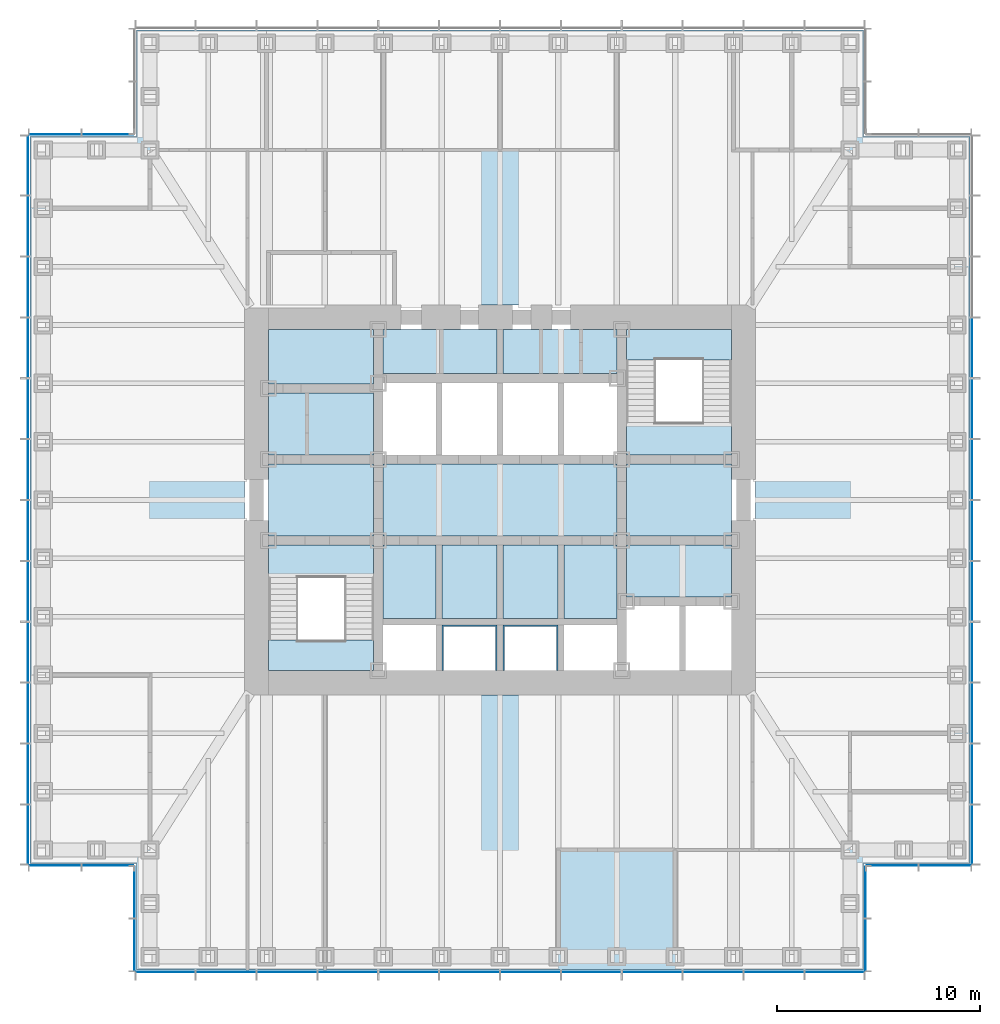
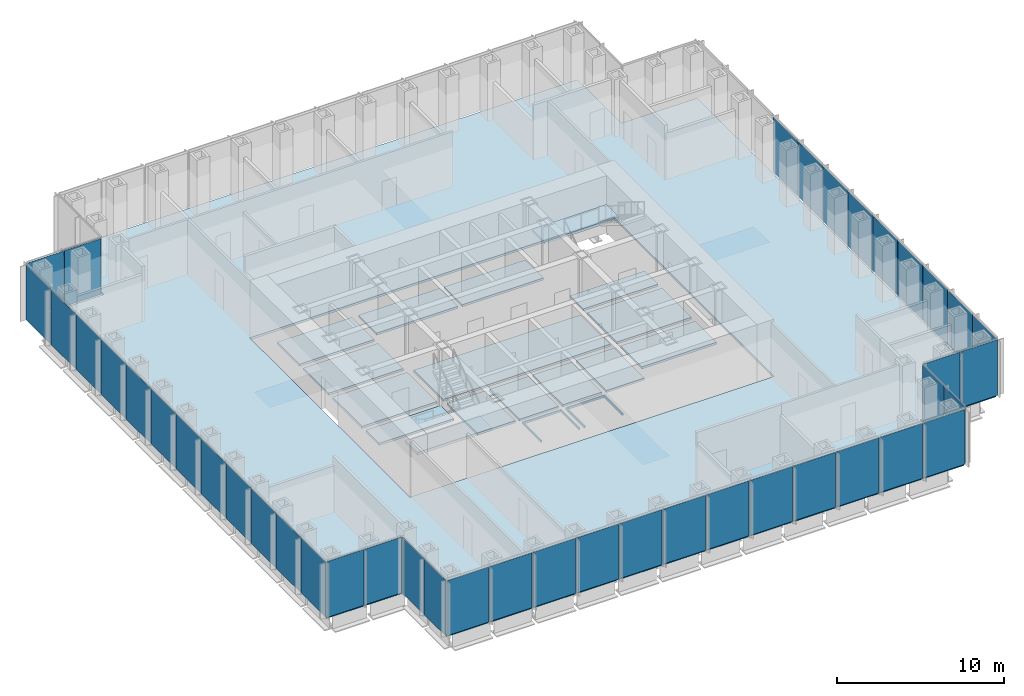
# One storey, part 7 of 17: 43 plates, 19 slabs, 10 elements without a shape of their own.
"""IFC4 building model written with IfcOpenShell, lengths in metres."""

from ifc_helpers import new_model, si_unit, direction, frame, origin, origin_2d, place, context, subcontext, project, spatial, polyline, rectangle, outline, extrude, material, layer, layer_set, type_object, element, aggregate, save


model = new_model("IFC4")

# Units and contexts
model_context = context("Model", 3, precision=1e-05, world=origin(), true_north=direction((0.0, 1.0)))
body_context = subcontext(model_context, "Body", "Model", "MODEL_VIEW")
ifc_project = project(units=[si_unit("LENGTHUNIT", "METRE"), si_unit("AREAUNIT", "SQUARE_METRE"), si_unit("VOLUMEUNIT", "CUBIC_METRE"), si_unit("PLANEANGLEUNIT", "RADIAN"), si_unit("MASSUNIT", "GRAM", prefix="KILO")], contexts=[model_context])

# Site, building, storey
site_placement = place(None, origin())
site = spatial("IfcSite", under=ifc_project, at=site_placement, CompositionType="ELEMENT")
building_placement = place(site_placement, origin())
building = spatial("IfcBuilding", under=site, at=building_placement, Name="Daluyong Arena Tower", CompositionType="ELEMENT")
storey_placement = place(building_placement, frame((0.0, 0.0, 124.89990234375)))
storey = spatial("IfcBuildingStorey", under=building, at=storey_placement, Name="L27", CompositionType="ELEMENT", Elevation=124.89990234375)

# Curtain wall, plates
ifc_material_1 = material(Name="Bronze anodised aluminium and glass", Category="aluminium")
curtain_wall_type_1 = type_object("IfcCurtainWallType", Name="Curtain wall CW2", PredefinedType="USERDEFINED", material=ifc_material_1)
curtain_wall_1_placement = place(storey_placement, origin())
curtain_wall_1 = element("IfcCurtainWall", 1, at=curtain_wall_1_placement, inside=storey, type_object=curtain_wall_type_1, Name="curtain wall L27 S", ObjectType="UNITISED CURTAIN WALL", PredefinedType="USERDEFINED")
ifc_material_2 = material(Name="Tinted double glazed unit", Category="glass")
ifc_layer_1 = layer(ifc_material_2, 0.031982421875)
ifc_layer_set_1 = layer_set([ifc_layer_1], Name="Tinted double glazed unit")
plate_type_1 = type_object("IfcPlateType", Name="CW2 panel 32", PredefinedType="CURTAIN_PANEL", material=ifc_layer_set_1)
plate_1_placement = place(storey_placement, frame((39.52001953125, 56.75, 0.0), z_axis=(0.0, 0.0, 1.0), x_axis=(1.0, 0.0, 0.0)))
plate_1 = element("IfcPlate", 2, at=plate_1_placement, type_object=plate_type_1, Name="curtain wall L27 S panel 1", PredefinedType="CURTAIN_PANEL", context=body_context, shape_type="SweptSolid", body=[
    extrude(rectangle(XDim=2.8798828125, YDim=0.031982421875, at=origin_2d()), origin(), (0.0, 0.0, 1.0), 4.02001953125),
])
plate_2_placement = place(storey_placement, frame((42.5, 56.75, 0.0), z_axis=(0.0, 0.0, 1.0), x_axis=(1.0, 0.0, 0.0)))
plate_2 = element("IfcPlate", 3, at=plate_2_placement, type_object=plate_type_1, Name="curtain wall L27 S panel 2", PredefinedType="CURTAIN_PANEL", context=body_context, shape_type="SweptSolid", body=[
    extrude(rectangle(XDim=2.919921875, YDim=0.031982421875, at=origin_2d()), origin(), (0.0, 0.0, 1.0), 4.02001953125),
])
plate_3_placement = place(storey_placement, frame((45.5, 56.75, 0.0), z_axis=(0.0, 0.0, 1.0), x_axis=(1.0, 0.0, 0.0)))
plate_3 = element("IfcPlate", 4, at=plate_3_placement, type_object=plate_type_1, Name="curtain wall L27 S panel 3", PredefinedType="CURTAIN_PANEL", context=body_context, shape_type="SweptSolid", body=[
    extrude(rectangle(XDim=2.919921875, YDim=0.031982421875, at=origin_2d()), origin(), (0.0, 0.0, 1.0), 4.02001953125),
])
plate_4_placement = place(storey_placement, frame((48.5, 56.75, 0.0), z_axis=(0.0, 0.0, 1.0), x_axis=(1.0, 0.0, 0.0)))
plate_4 = element("IfcPlate", 5, at=plate_4_placement, type_object=plate_type_1, Name="curtain wall L27 S panel 4", PredefinedType="CURTAIN_PANEL", context=body_context, shape_type="SweptSolid", body=[
    extrude(rectangle(XDim=2.919921875, YDim=0.031982421875, at=origin_2d()), origin(), (0.0, 0.0, 1.0), 4.02001953125),
])
plate_5_placement = place(storey_placement, frame((51.5, 56.75, 0.0), z_axis=(0.0, 0.0, 1.0), x_axis=(1.0, 0.0, 0.0)))
plate_5 = element("IfcPlate", 6, at=plate_5_placement, type_object=plate_type_1, Name="curtain wall L27 S panel 5", PredefinedType="CURTAIN_PANEL", context=body_context, shape_type="SweptSolid", body=[
    extrude(rectangle(XDim=2.919921875, YDim=0.031982421875, at=origin_2d()), origin(), (0.0, 0.0, 1.0), 4.02001953125),
])
plate_6_placement = place(storey_placement, frame((54.5, 56.75, 0.0), z_axis=(0.0, 0.0, 1.0), x_axis=(1.0, 0.0, 0.0)))
plate_6 = element("IfcPlate", 7, at=plate_6_placement, type_object=plate_type_1, Name="curtain wall L27 S panel 6", PredefinedType="CURTAIN_PANEL", context=body_context, shape_type="SweptSolid", body=[
    extrude(rectangle(XDim=2.919921875, YDim=0.031982421875, at=origin_2d()), origin(), (0.0, 0.0, 1.0), 4.02001953125),
])
plate_7_placement = place(storey_placement, frame((57.5, 56.75, 0.0), z_axis=(0.0, 0.0, 1.0), x_axis=(1.0, 0.0, 0.0)))
plate_7 = element("IfcPlate", 8, at=plate_7_placement, type_object=plate_type_1, Name="curtain wall L27 S panel 7", PredefinedType="CURTAIN_PANEL", context=body_context, shape_type="SweptSolid", body=[
    extrude(rectangle(XDim=2.919921875, YDim=0.031982421875, at=origin_2d()), origin(), (0.0, 0.0, 1.0), 4.02001953125),
])
plate_8_placement = place(storey_placement, frame((60.5, 56.75, 0.0), z_axis=(0.0, 0.0, 1.0), x_axis=(1.0, 0.0, 0.0)))
plate_8 = element("IfcPlate", 9, at=plate_8_placement, type_object=plate_type_1, Name="curtain wall L27 S panel 8", PredefinedType="CURTAIN_PANEL", context=body_context, shape_type="SweptSolid", body=[
    extrude(rectangle(XDim=2.919921875, YDim=0.031982421875, at=origin_2d()), origin(), (0.0, 0.0, 1.0), 4.02001953125),
])
plate_9_placement = place(storey_placement, frame((63.5, 56.75, 0.0), z_axis=(0.0, 0.0, 1.0), x_axis=(1.0, 0.0, 0.0)))
plate_9 = element("IfcPlate", 10, at=plate_9_placement, type_object=plate_type_1, Name="curtain wall L27 S panel 9", PredefinedType="CURTAIN_PANEL", context=body_context, shape_type="SweptSolid", body=[
    extrude(rectangle(XDim=2.919921875, YDim=0.031982421875, at=origin_2d()), origin(), (0.0, 0.0, 1.0), 4.02001953125),
])
plate_10_placement = place(storey_placement, frame((66.5, 56.75, 0.0), z_axis=(0.0, 0.0, 1.0), x_axis=(1.0, 0.0, 0.0)))
plate_10 = element("IfcPlate", 11, at=plate_10_placement, type_object=plate_type_1, Name="curtain wall L27 S panel 10", PredefinedType="CURTAIN_PANEL", context=body_context, shape_type="SweptSolid", body=[
    extrude(rectangle(XDim=2.919921875, YDim=0.031982421875, at=origin_2d()), origin(), (0.0, 0.0, 1.0), 4.02001953125),
])
plate_11_placement = place(storey_placement, frame((69.5, 56.75, 0.0), z_axis=(0.0, 0.0, 1.0), x_axis=(1.0, 0.0, 0.0)))
plate_11 = element("IfcPlate", 12, at=plate_11_placement, type_object=plate_type_1, Name="curtain wall L27 S panel 11", PredefinedType="CURTAIN_PANEL", context=body_context, shape_type="SweptSolid", body=[
    extrude(rectangle(XDim=2.919921875, YDim=0.031982421875, at=origin_2d()), origin(), (0.0, 0.0, 1.0), 4.02001953125),
])
plate_12_placement = place(storey_placement, frame((72.47998046875, 56.75, 0.0), z_axis=(0.0, 0.0, 1.0), x_axis=(1.0, 0.0, 0.0)))
plate_12 = element("IfcPlate", 13, at=plate_12_placement, type_object=plate_type_1, Name="curtain wall L27 S panel 12", PredefinedType="CURTAIN_PANEL", context=body_context, shape_type="SweptSolid", body=[
    extrude(rectangle(XDim=2.8798828125, YDim=0.031982421875, at=origin_2d()), origin(), (0.0, 0.0, 1.0), 4.02001953125),
])
aggregate(curtain_wall_1, [plate_1, plate_2, plate_3, plate_4, plate_5, plate_6, plate_7, plate_8, plate_9, plate_10, plate_11, plate_12])

curtain_wall_2_placement = place(storey_placement, origin())
curtain_wall_2 = element("IfcCurtainWall", 14, at=curtain_wall_2_placement, inside=storey, type_object=curtain_wall_type_1, Name="curtain wall L27 E", ObjectType="UNITISED CURTAIN WALL", PredefinedType="USERDEFINED")
plate_13_placement = place(storey_placement, frame((79.25, 63.52001953125, 0.0), z_axis=(0.0, 0.0, 1.0), x_axis=(0.0, 1.0, 0.0)))
plate_13 = element("IfcPlate", 15, at=plate_13_placement, type_object=plate_type_1, Name="curtain wall L27 E panel 1", PredefinedType="CURTAIN_PANEL", context=body_context, shape_type="SweptSolid", body=[
    extrude(rectangle(XDim=2.8798828125, YDim=0.031982421875, at=origin_2d()), origin(), (0.0, 0.0, 1.0), 4.02001953125),
])
plate_14_placement = place(storey_placement, frame((79.25, 66.5, 0.0), z_axis=(0.0, 0.0, 1.0), x_axis=(0.0, 1.0, 0.0)))
plate_14 = element("IfcPlate", 16, at=plate_14_placement, type_object=plate_type_1, Name="curtain wall L27 E panel 2", PredefinedType="CURTAIN_PANEL", context=body_context, shape_type="SweptSolid", body=[
    extrude(rectangle(XDim=2.919921875, YDim=0.031982421875, at=origin_2d()), origin(), (0.0, 0.0, 1.0), 4.02001953125),
])
plate_15_placement = place(storey_placement, frame((79.25, 69.5, 0.0), z_axis=(0.0, 0.0, 1.0), x_axis=(0.0, 1.0, 0.0)))
plate_15 = element("IfcPlate", 17, at=plate_15_placement, type_object=plate_type_1, Name="curtain wall L27 E panel 3", PredefinedType="CURTAIN_PANEL", context=body_context, shape_type="SweptSolid", body=[
    extrude(rectangle(XDim=2.919921875, YDim=0.031982421875, at=origin_2d()), origin(), (0.0, 0.0, 1.0), 4.02001953125),
])
plate_16_placement = place(storey_placement, frame((79.25, 72.5, 0.0), z_axis=(0.0, 0.0, 1.0), x_axis=(0.0, 1.0, 0.0)))
plate_16 = element("IfcPlate", 18, at=plate_16_placement, type_object=plate_type_1, Name="curtain wall L27 E panel 4", PredefinedType="CURTAIN_PANEL", context=body_context, shape_type="SweptSolid", body=[
    extrude(rectangle(XDim=2.919921875, YDim=0.031982421875, at=origin_2d()), origin(), (0.0, 0.0, 1.0), 4.02001953125),
])
plate_17_placement = place(storey_placement, frame((79.25, 75.5, 0.0), z_axis=(0.0, 0.0, 1.0), x_axis=(0.0, 1.0, 0.0)))
plate_17 = element("IfcPlate", 19, at=plate_17_placement, type_object=plate_type_1, Name="curtain wall L27 E panel 5", PredefinedType="CURTAIN_PANEL", context=body_context, shape_type="SweptSolid", body=[
    extrude(rectangle(XDim=2.919921875, YDim=0.031982421875, at=origin_2d()), origin(), (0.0, 0.0, 1.0), 4.02001953125),
])
plate_18_placement = place(storey_placement, frame((79.25, 78.5, 0.0), z_axis=(0.0, 0.0, 1.0), x_axis=(0.0, 1.0, 0.0)))
plate_18 = element("IfcPlate", 20, at=plate_18_placement, type_object=plate_type_1, Name="curtain wall L27 E panel 6", PredefinedType="CURTAIN_PANEL", context=body_context, shape_type="SweptSolid", body=[
    extrude(rectangle(XDim=2.919921875, YDim=0.031982421875, at=origin_2d()), origin(), (0.0, 0.0, 1.0), 4.02001953125),
])
plate_19_placement = place(storey_placement, frame((79.25, 81.5, 0.0), z_axis=(0.0, 0.0, 1.0), x_axis=(0.0, 1.0, 0.0)))
plate_19 = element("IfcPlate", 21, at=plate_19_placement, type_object=plate_type_1, Name="curtain wall L27 E panel 7", PredefinedType="CURTAIN_PANEL", context=body_context, shape_type="SweptSolid", body=[
    extrude(rectangle(XDim=2.919921875, YDim=0.031982421875, at=origin_2d()), origin(), (0.0, 0.0, 1.0), 4.02001953125),
])
plate_20_placement = place(storey_placement, frame((79.25, 84.5, 0.0), z_axis=(0.0, 0.0, 1.0), x_axis=(0.0, 1.0, 0.0)))
plate_20 = element("IfcPlate", 22, at=plate_20_placement, type_object=plate_type_1, Name="curtain wall L27 E panel 8", PredefinedType="CURTAIN_PANEL", context=body_context, shape_type="SweptSolid", body=[
    extrude(rectangle(XDim=2.919921875, YDim=0.031982421875, at=origin_2d()), origin(), (0.0, 0.0, 1.0), 4.02001953125),
])
plate_21_placement = place(storey_placement, frame((79.25, 87.5, 0.0), z_axis=(0.0, 0.0, 1.0), x_axis=(0.0, 1.0, 0.0)))
plate_21 = element("IfcPlate", 23, at=plate_21_placement, type_object=plate_type_1, Name="curtain wall L27 E panel 9", PredefinedType="CURTAIN_PANEL", context=body_context, shape_type="SweptSolid", body=[
    extrude(rectangle(XDim=2.919921875, YDim=0.031982421875, at=origin_2d()), origin(), (0.0, 0.0, 1.0), 4.02001953125),
])
aggregate(curtain_wall_2, [plate_13, plate_14, plate_15, plate_16, plate_17, plate_18, plate_19, plate_20, plate_21])

curtain_wall_3_placement = place(storey_placement, origin())
curtain_wall_3 = element("IfcCurtainWall", 24, at=curtain_wall_3_placement, inside=storey, type_object=curtain_wall_type_1, Name="curtain wall L27 W", ObjectType="UNITISED CURTAIN WALL", PredefinedType="USERDEFINED")
plate_22_placement = place(storey_placement, frame((32.75, 96.47998046875, 0.0), z_axis=(0.0, 0.0, 1.0), x_axis=(0.0, -1.0, 0.0)))
plate_22 = element("IfcPlate", 25, at=plate_22_placement, type_object=plate_type_1, Name="curtain wall L27 W panel 1", PredefinedType="CURTAIN_PANEL", context=body_context, shape_type="SweptSolid", body=[
    extrude(rectangle(XDim=2.8798828125, YDim=0.031982421875, at=origin_2d()), origin(), (0.0, 0.0, 1.0), 4.02001953125),
])
plate_23_placement = place(storey_placement, frame((32.75, 93.5, 0.0), z_axis=(0.0, 0.0, 1.0), x_axis=(0.0, -1.0, 0.0)))
plate_23 = element("IfcPlate", 26, at=plate_23_placement, type_object=plate_type_1, Name="curtain wall L27 W panel 2", PredefinedType="CURTAIN_PANEL", context=body_context, shape_type="SweptSolid", body=[
    extrude(rectangle(XDim=2.919921875, YDim=0.031982421875, at=origin_2d()), origin(), (0.0, 0.0, 1.0), 4.02001953125),
])
plate_24_placement = place(storey_placement, frame((32.75, 90.5, 0.0), z_axis=(0.0, 0.0, 1.0), x_axis=(0.0, -1.0, 0.0)))
plate_24 = element("IfcPlate", 27, at=plate_24_placement, type_object=plate_type_1, Name="curtain wall L27 W panel 3", PredefinedType="CURTAIN_PANEL", context=body_context, shape_type="SweptSolid", body=[
    extrude(rectangle(XDim=2.919921875, YDim=0.031982421875, at=origin_2d()), origin(), (0.0, 0.0, 1.0), 4.02001953125),
])
plate_25_placement = place(storey_placement, frame((32.75, 87.5, 0.0), z_axis=(0.0, 0.0, 1.0), x_axis=(0.0, -1.0, 0.0)))
plate_25 = element("IfcPlate", 28, at=plate_25_placement, type_object=plate_type_1, Name="curtain wall L27 W panel 4", PredefinedType="CURTAIN_PANEL", context=body_context, shape_type="SweptSolid", body=[
    extrude(rectangle(XDim=2.919921875, YDim=0.031982421875, at=origin_2d()), origin(), (0.0, 0.0, 1.0), 4.02001953125),
])
plate_26_placement = place(storey_placement, frame((32.75, 84.5, 0.0), z_axis=(0.0, 0.0, 1.0), x_axis=(0.0, -1.0, 0.0)))
plate_26 = element("IfcPlate", 29, at=plate_26_placement, type_object=plate_type_1, Name="curtain wall L27 W panel 5", PredefinedType="CURTAIN_PANEL", context=body_context, shape_type="SweptSolid", body=[
    extrude(rectangle(XDim=2.919921875, YDim=0.031982421875, at=origin_2d()), origin(), (0.0, 0.0, 1.0), 4.02001953125),
])
plate_27_placement = place(storey_placement, frame((32.75, 81.5, 0.0), z_axis=(0.0, 0.0, 1.0), x_axis=(0.0, -1.0, 0.0)))
plate_27 = element("IfcPlate", 30, at=plate_27_placement, type_object=plate_type_1, Name="curtain wall L27 W panel 6", PredefinedType="CURTAIN_PANEL", context=body_context, shape_type="SweptSolid", body=[
    extrude(rectangle(XDim=2.919921875, YDim=0.031982421875, at=origin_2d()), origin(), (0.0, 0.0, 1.0), 4.02001953125),
])
plate_28_placement = place(storey_placement, frame((32.75, 78.5, 0.0), z_axis=(0.0, 0.0, 1.0), x_axis=(0.0, -1.0, 0.0)))
plate_28 = element("IfcPlate", 31, at=plate_28_placement, type_object=plate_type_1, Name="curtain wall L27 W panel 7", PredefinedType="CURTAIN_PANEL", context=body_context, shape_type="SweptSolid", body=[
    extrude(rectangle(XDim=2.919921875, YDim=0.031982421875, at=origin_2d()), origin(), (0.0, 0.0, 1.0), 4.02001953125),
])
plate_29_placement = place(storey_placement, frame((32.75, 75.5, 0.0), z_axis=(0.0, 0.0, 1.0), x_axis=(0.0, -1.0, 0.0)))
plate_29 = element("IfcPlate", 32, at=plate_29_placement, type_object=plate_type_1, Name="curtain wall L27 W panel 8", PredefinedType="CURTAIN_PANEL", context=body_context, shape_type="SweptSolid", body=[
    extrude(rectangle(XDim=2.919921875, YDim=0.031982421875, at=origin_2d()), origin(), (0.0, 0.0, 1.0), 4.02001953125),
])
plate_30_placement = place(storey_placement, frame((32.75, 72.5, 0.0), z_axis=(0.0, 0.0, 1.0), x_axis=(0.0, -1.0, 0.0)))
plate_30 = element("IfcPlate", 33, at=plate_30_placement, type_object=plate_type_1, Name="curtain wall L27 W panel 9", PredefinedType="CURTAIN_PANEL", context=body_context, shape_type="SweptSolid", body=[
    extrude(rectangle(XDim=2.919921875, YDim=0.031982421875, at=origin_2d()), origin(), (0.0, 0.0, 1.0), 4.02001953125),
])
plate_31_placement = place(storey_placement, frame((32.75, 69.5, 0.0), z_axis=(0.0, 0.0, 1.0), x_axis=(0.0, -1.0, 0.0)))
plate_31 = element("IfcPlate", 34, at=plate_31_placement, type_object=plate_type_1, Name="curtain wall L27 W panel 10", PredefinedType="CURTAIN_PANEL", context=body_context, shape_type="SweptSolid", body=[
    extrude(rectangle(XDim=2.919921875, YDim=0.031982421875, at=origin_2d()), origin(), (0.0, 0.0, 1.0), 4.02001953125),
])
plate_32_placement = place(storey_placement, frame((32.75, 66.5, 0.0), z_axis=(0.0, 0.0, 1.0), x_axis=(0.0, -1.0, 0.0)))
plate_32 = element("IfcPlate", 35, at=plate_32_placement, type_object=plate_type_1, Name="curtain wall L27 W panel 11", PredefinedType="CURTAIN_PANEL", context=body_context, shape_type="SweptSolid", body=[
    extrude(rectangle(XDim=2.919921875, YDim=0.031982421875, at=origin_2d()), origin(), (0.0, 0.0, 1.0), 4.02001953125),
])
plate_33_placement = place(storey_placement, frame((32.75, 63.52001953125, 0.0), z_axis=(0.0, 0.0, 1.0), x_axis=(0.0, -1.0, 0.0)))
plate_33 = element("IfcPlate", 36, at=plate_33_placement, type_object=plate_type_1, Name="curtain wall L27 W panel 12", PredefinedType="CURTAIN_PANEL", context=body_context, shape_type="SweptSolid", body=[
    extrude(rectangle(XDim=2.8798828125, YDim=0.031982421875, at=origin_2d()), origin(), (0.0, 0.0, 1.0), 4.02001953125),
])
aggregate(curtain_wall_3, [plate_22, plate_23, plate_24, plate_25, plate_26, plate_27, plate_28, plate_29, plate_30, plate_31, plate_32, plate_33])

ifc_material_3 = material(Name="Bronze anodised aluminium and glass", Category="aluminium")
curtain_wall_type_2 = type_object("IfcCurtainWallType", Name="Curtain wall CW7", PredefinedType="USERDEFINED", material=ifc_material_3)
curtain_wall_4_placement = place(storey_placement, origin())
curtain_wall_4 = element("IfcCurtainWall", 37, at=curtain_wall_4_placement, inside=storey, type_object=curtain_wall_type_2, Name="curtain wall L27 SE-E", ObjectType="UNITISED CURTAIN WALL", PredefinedType="USERDEFINED")
ifc_material_4 = material(Name="Tinted double glazed unit", Category="glass")
ifc_layer_2 = layer(ifc_material_4, 0.028076171875)
ifc_layer_set_2 = layer_set([ifc_layer_2], Name="Tinted double glazed unit")
plate_type_2 = type_object("IfcPlateType", Name="CW7 panel 28", PredefinedType="CURTAIN_PANEL", material=ifc_layer_set_2)
plate_34_placement = place(storey_placement, frame((74.0, 58.077392578125, 0.0), z_axis=(0.0, 0.0, 1.0), x_axis=(0.0, 1.0, 0.0)))
plate_34 = element("IfcPlate", 38, at=plate_34_placement, type_object=plate_type_2, Name="curtain wall L27 SE-E panel 1", PredefinedType="CURTAIN_PANEL", context=body_context, shape_type="SweptSolid", body=[
    extrude(rectangle(XDim=2.534912109375, YDim=0.028076171875, at=origin_2d()), origin(), (0.0, 0.0, 1.0), 4.080078125),
])
plate_35_placement = place(storey_placement, frame((74.0, 60.672607421875, 0.0), z_axis=(0.0, 0.0, 1.0), x_axis=(0.0, 1.0, 0.0)))
plate_35 = element("IfcPlate", 39, at=plate_35_placement, type_object=plate_type_2, Name="curtain wall L27 SE-E panel 2", PredefinedType="CURTAIN_PANEL", context=body_context, shape_type="SweptSolid", body=[
    extrude(rectangle(XDim=2.534912109375, YDim=0.028076171875, at=origin_2d()), origin(), (0.0, 0.0, 1.0), 4.080078125),
])
aggregate(curtain_wall_4, [plate_34, plate_35])

curtain_wall_5_placement = place(storey_placement, origin())
curtain_wall_5 = element("IfcCurtainWall", 40, at=curtain_wall_5_placement, inside=storey, type_object=curtain_wall_type_2, Name="curtain wall L27 SE-S", ObjectType="UNITISED CURTAIN WALL", PredefinedType="USERDEFINED")
plate_36_placement = place(storey_placement, frame((75.327392578125, 62.0, 0.0), z_axis=(0.0, 0.0, 1.0), x_axis=(1.0, 0.0, 0.0)))
plate_36 = element("IfcPlate", 41, at=plate_36_placement, type_object=plate_type_2, Name="curtain wall L27 SE-S panel 1", PredefinedType="CURTAIN_PANEL", context=body_context, shape_type="SweptSolid", body=[
    extrude(rectangle(XDim=2.534912109375, YDim=0.028076171875, at=origin_2d()), origin(), (0.0, 0.0, 1.0), 4.080078125),
])
plate_37_placement = place(storey_placement, frame((77.922607421875, 62.0, 0.0), z_axis=(0.0, 0.0, 1.0), x_axis=(1.0, 0.0, 0.0)))
plate_37 = element("IfcPlate", 42, at=plate_37_placement, type_object=plate_type_2, Name="curtain wall L27 SE-S panel 2", PredefinedType="CURTAIN_PANEL", context=body_context, shape_type="SweptSolid", body=[
    extrude(rectangle(XDim=2.534912109375, YDim=0.028076171875, at=origin_2d()), origin(), (0.0, 0.0, 1.0), 4.080078125),
])
aggregate(curtain_wall_5, [plate_36, plate_37])

curtain_wall_6_placement = place(storey_placement, origin())
curtain_wall_6 = element("IfcCurtainWall", 43, at=curtain_wall_6_placement, inside=storey, type_object=curtain_wall_type_2, Name="curtain wall L27 NW-N", ObjectType="UNITISED CURTAIN WALL", PredefinedType="USERDEFINED")
plate_38_placement = place(storey_placement, frame((36.672607421875, 98.0, 0.0), z_axis=(0.0, 0.0, 1.0), x_axis=(-1.0, 0.0, 0.0)))
plate_38 = element("IfcPlate", 44, at=plate_38_placement, type_object=plate_type_2, Name="curtain wall L27 NW-N panel 1", PredefinedType="CURTAIN_PANEL", context=body_context, shape_type="SweptSolid", body=[
    extrude(rectangle(XDim=2.534912109375, YDim=0.028076171875, at=origin_2d()), origin(), (0.0, 0.0, 1.0), 4.080078125),
])
plate_39_placement = place(storey_placement, frame((34.077392578125, 98.0, 0.0), z_axis=(0.0, 0.0, 1.0), x_axis=(-1.0, 0.0, 0.0)))
plate_39 = element("IfcPlate", 45, at=plate_39_placement, type_object=plate_type_2, Name="curtain wall L27 NW-N panel 2", PredefinedType="CURTAIN_PANEL", context=body_context, shape_type="SweptSolid", body=[
    extrude(rectangle(XDim=2.534912109375, YDim=0.028076171875, at=origin_2d()), origin(), (0.0, 0.0, 1.0), 4.080078125),
])
aggregate(curtain_wall_6, [plate_38, plate_39])

curtain_wall_7_placement = place(storey_placement, origin())
curtain_wall_7 = element("IfcCurtainWall", 46, at=curtain_wall_7_placement, inside=storey, type_object=curtain_wall_type_2, Name="curtain wall L27 SW-S", ObjectType="UNITISED CURTAIN WALL", PredefinedType="USERDEFINED")
plate_40_placement = place(storey_placement, frame((34.077392578125, 62.0, 0.0), z_axis=(0.0, 0.0, 1.0), x_axis=(1.0, 0.0, 0.0)))
plate_40 = element("IfcPlate", 47, at=plate_40_placement, type_object=plate_type_2, Name="curtain wall L27 SW-S panel 1", PredefinedType="CURTAIN_PANEL", context=body_context, shape_type="SweptSolid", body=[
    extrude(rectangle(XDim=2.534912109375, YDim=0.028076171875, at=origin_2d()), origin(), (0.0, 0.0, 1.0), 4.080078125),
])
plate_41_placement = place(storey_placement, frame((36.672607421875, 62.0, 0.0), z_axis=(0.0, 0.0, 1.0), x_axis=(1.0, 0.0, 0.0)))
plate_41 = element("IfcPlate", 48, at=plate_41_placement, type_object=plate_type_2, Name="curtain wall L27 SW-S panel 2", PredefinedType="CURTAIN_PANEL", context=body_context, shape_type="SweptSolid", body=[
    extrude(rectangle(XDim=2.534912109375, YDim=0.028076171875, at=origin_2d()), origin(), (0.0, 0.0, 1.0), 4.080078125),
])
aggregate(curtain_wall_7, [plate_40, plate_41])

curtain_wall_8_placement = place(storey_placement, origin())
curtain_wall_8 = element("IfcCurtainWall", 49, at=curtain_wall_8_placement, inside=storey, type_object=curtain_wall_type_2, Name="curtain wall L27 SW-W", ObjectType="UNITISED CURTAIN WALL", PredefinedType="USERDEFINED")
plate_42_placement = place(storey_placement, frame((38.0, 60.672607421875, 0.0), z_axis=(0.0, 0.0, 1.0), x_axis=(0.0, -1.0, 0.0)))
plate_42 = element("IfcPlate", 50, at=plate_42_placement, type_object=plate_type_2, Name="curtain wall L27 SW-W panel 1", PredefinedType="CURTAIN_PANEL", context=body_context, shape_type="SweptSolid", body=[
    extrude(rectangle(XDim=2.534912109375, YDim=0.028076171875, at=origin_2d()), origin(), (0.0, 0.0, 1.0), 4.080078125),
])
plate_43_placement = place(storey_placement, frame((38.0, 58.077392578125, 0.0), z_axis=(0.0, 0.0, 1.0), x_axis=(0.0, -1.0, 0.0)))
plate_43 = element("IfcPlate", 51, at=plate_43_placement, type_object=plate_type_2, Name="curtain wall L27 SW-W panel 2", PredefinedType="CURTAIN_PANEL", context=body_context, shape_type="SweptSolid", body=[
    extrude(rectangle(XDim=2.534912109375, YDim=0.028076171875, at=origin_2d()), origin(), (0.0, 0.0, 1.0), 4.080078125),
])
aggregate(curtain_wall_8, [plate_42, plate_43])

# Stair, slab
ifc_material_5 = material(Name="Concrete fc' 35 MPa", Category="concrete")
stair_type = type_object("IfcStairType", Name="Core exit stair", PredefinedType="HALF_TURN_STAIR", material=ifc_material_5)
stair_1_placement = place(storey_placement, origin())
stair_1 = element("IfcStair", 52, at=stair_1_placement, inside=storey, type_object=stair_type, Name="exit stair A L27", PredefinedType="HALF_TURN_STAIR")
ifc_material_6 = material(Name="Concrete fc' 35 MPa", Category="concrete")
ifc_layer_3 = layer(ifc_material_6, 0.199951171875)
ifc_layer_set_3 = layer_set([ifc_layer_3], Name="Concrete fc' 35 MPa")
slab_type_1 = type_object("IfcSlabType", Name="Stair landing 200", PredefinedType="LANDING", material=ifc_layer_set_3)
slab_1_placement = place(storey_placement, frame((0.0, 0.0, 1.900146484375)))
slab_1 = element("IfcSlab", 53, at=slab_1_placement, type_object=slab_type_1, Name="STA landing 1", PredefinedType="LANDING", context=body_context, shape_type="SweptSolid", body=[
    extrude(outline(polyline([(44.60009765625, 71.60009765625), (49.77490234375, 71.60009765625), (49.77490234375, 73.094970703125), (44.60009765625, 73.094970703125), (44.60009765625, 71.60009765625)])), origin(), (0.0, 0.0, 1.0), 0.199951171875),
])
aggregate(stair_1, [slab_1])

stair_2_placement = place(storey_placement, origin())
stair_2 = element("IfcStair", 54, at=stair_2_placement, inside=storey, type_object=stair_type, Name="exit stair B L27", PredefinedType="HALF_TURN_STAIR")
slab_2_placement = place(storey_placement, frame((0.0, 0.0, 1.900146484375)))
slab_2 = element("IfcSlab", 55, at=slab_2_placement, type_object=slab_type_1, Name="STB landing 1", PredefinedType="LANDING", context=body_context, shape_type="SweptSolid", body=[
    extrude(outline(polyline([(62.22509765625, 86.905029296875), (67.39990234375, 86.905029296875), (67.39990234375, 88.39990234375), (62.22509765625, 88.39990234375), (62.22509765625, 86.905029296875)])), origin(), (0.0, 0.0, 1.0), 0.199951171875),
])
aggregate(stair_2, [slab_2])

# Slabs
ifc_material_7 = material(Name="Concrete fc' 35 MPa", Category="concrete")
ifc_layer_4 = layer(ifc_material_7, 0.159912109375)
ifc_layer_set_4 = layer_set([ifc_layer_4], Name="Concrete fc' 35 MPa")
slab_type_2 = type_object("IfcSlabType", Name="Tower floor slab 160", PredefinedType="FLOOR", material=ifc_layer_set_4)
slab_3_placement = place(storey_placement, frame((0.0, 0.0, -0.159912109375)))
element("IfcSlab", 56, at=slab_3_placement, inside=storey, type_object=slab_type_2, Name="floor L27 part 1", PredefinedType="FLOOR", context=body_context, shape_type="SweptSolid", body=[
    extrude(outline(polyline([(49.77490234375, 76.175048828125), (49.77490234375, 77.77490234375), (44.60009765625, 77.77490234375), (44.60009765625, 76.175048828125), (49.77490234375, 76.175048828125)])), origin(), (0.0, 0.0, 1.0), 0.159912109375),
])
slab_4_placement = place(storey_placement, frame((0.0, 0.0, -0.159912109375)))
element("IfcSlab", 57, at=slab_4_placement, inside=storey, type_object=slab_type_2, Name="floor L27 part 2", PredefinedType="FLOOR", context=body_context, shape_type="SweptSolid", body=[
    extrude(outline(polyline([(44.60009765625, 78.22509765625), (49.77490234375, 78.22509765625), (49.77490234375, 81.77490234375), (44.60009765625, 81.77490234375), (44.60009765625, 78.22509765625)])), origin(), (0.0, 0.0, 1.0), 0.159912109375),
])
slab_5_placement = place(storey_placement, frame((0.0, 0.0, -0.159912109375)))
element("IfcSlab", 58, at=slab_5_placement, inside=storey, type_object=slab_type_2, Name="floor L27 part 3", PredefinedType="FLOOR", context=body_context, shape_type="SweptSolid", body=[
    extrude(outline(polyline([(44.60009765625, 82.22509765625), (49.77490234375, 82.22509765625), (49.77490234375, 85.27490234375), (44.60009765625, 85.27490234375), (44.60009765625, 82.22509765625)])), origin(), (0.0, 0.0, 1.0), 0.159912109375),
])
slab_6_placement = place(storey_placement, frame((0.0, 0.0, -0.159912109375)))
element("IfcSlab", 59, at=slab_6_placement, inside=storey, type_object=slab_type_2, Name="floor L27 part 4", PredefinedType="FLOOR", context=body_context, shape_type="SweptSolid", body=[
    extrude(outline(polyline([(49.77490234375, 88.39990234375), (44.60009765625, 88.39990234375), (44.60009765625, 85.72509765625), (49.77490234375, 85.72509765625), (49.77490234375, 88.39990234375)])), origin(), (0.0, 0.0, 1.0), 0.159912109375),
])
slab_7_placement = place(storey_placement, frame((0.0, 0.0, -0.159912109375)))
element("IfcSlab", 60, at=slab_7_placement, inside=storey, type_object=slab_type_2, Name="floor L27 part 5", PredefinedType="FLOOR", context=body_context, shape_type="SweptSolid", body=[
    extrude(outline(polyline([(52.85009765625, 77.77490234375), (50.22509765625, 77.77490234375), (50.22509765625, 74.14990234375), (52.85009765625, 74.14990234375), (52.85009765625, 77.77490234375)])), origin(), (0.0, 0.0, 1.0), 0.159912109375),
])
slab_8_placement = place(storey_placement, frame((0.0, 0.0, -0.159912109375)))
element("IfcSlab", 61, at=slab_8_placement, inside=storey, type_object=slab_type_2, Name="floor L27 part 6", PredefinedType="FLOOR", context=body_context, shape_type="SweptSolid", body=[
    extrude(outline(polyline([(55.85009765625, 88.39990234375), (50.22509765625, 88.39990234375), (50.22509765625, 86.22509765625), (55.85009765625, 86.22509765625), (55.85009765625, 88.39990234375)])), origin(), (0.0, 0.0, 1.0), 0.159912109375),
])
slab_9_placement = place(storey_placement, frame((0.0, 0.0, -0.159912109375)))
element("IfcSlab", 62, at=slab_9_placement, inside=storey, type_object=slab_type_2, Name="floor L27 part 7", PredefinedType="FLOOR", context=body_context, shape_type="SweptSolid", body=[
    extrude(outline(polyline([(55.77490234375, 73.77490234375), (55.77490234375, 71.60009765625), (55.85009765625, 71.60009765625), (55.85009765625, 73.85009765625), (53.14990234375, 73.85009765625), (53.14990234375, 71.60009765625), (53.22509765625, 71.60009765625), (53.22509765625, 73.77490234375), (55.77490234375, 73.77490234375)])), origin(), (0.0, 0.0, 1.0), 0.159912109375),
])
slab_10_placement = place(storey_placement, frame((0.0, 0.0, -0.159912109375)))
element("IfcSlab", 63, at=slab_10_placement, inside=storey, type_object=slab_type_2, Name="floor L27 part 8", PredefinedType="FLOOR", context=body_context, shape_type="SweptSolid", body=[
    extrude(outline(polyline([(55.85009765625, 77.77490234375), (53.14990234375, 77.77490234375), (53.14990234375, 74.14990234375), (55.85009765625, 74.14990234375), (55.85009765625, 77.77490234375)])), origin(), (0.0, 0.0, 1.0), 0.159912109375),
])
slab_11_placement = place(storey_placement, frame((0.0, 0.0, -0.159912109375)))
element("IfcSlab", 64, at=slab_11_placement, inside=storey, type_object=slab_type_2, Name="floor L27 part 9", PredefinedType="FLOOR", context=body_context, shape_type="SweptSolid", body=[
    extrude(outline(polyline([(38.10009765625, 62.10009765625), (38.10009765625, 56.85009765625), (73.89990234375, 56.85009765625), (73.89990234375, 62.10009765625), (79.14990234375, 62.10009765625), (79.14990234375, 97.89990234375), (73.89990234375, 97.89990234375), (73.89990234375, 103.14990234375), (38.10009765625, 103.14990234375), (38.10009765625, 97.89990234375), (32.85009765625, 97.89990234375), (32.85009765625, 62.10009765625), (38.10009765625, 62.10009765625)]), holes=[polyline([(68.60009765625, 89.60009765625), (68.60009765625, 70.39990234375), (43.39990234375, 70.39990234375), (43.39990234375, 89.60009765625), (68.60009765625, 89.60009765625)])]), origin(), (0.0, 0.0, 1.0), 0.159912109375),
])
slab_12_placement = place(storey_placement, frame((0.0, 0.0, -0.159912109375)))
element("IfcSlab", 65, at=slab_12_placement, inside=storey, type_object=slab_type_2, Name="floor L27 part 10", PredefinedType="FLOOR", context=body_context, shape_type="SweptSolid", body=[
    extrude(outline(polyline([(61.77490234375, 78.22509765625), (61.77490234375, 81.77490234375), (50.22509765625, 81.77490234375), (50.22509765625, 78.22509765625), (61.77490234375, 78.22509765625)])), origin(), (0.0, 0.0, 1.0), 0.159912109375),
])
slab_13_placement = place(storey_placement, frame((0.0, 0.0, -0.159912109375)))
element("IfcSlab", 66, at=slab_13_placement, inside=storey, type_object=slab_type_2, Name="floor L27 part 11", PredefinedType="FLOOR", context=body_context, shape_type="SweptSolid", body=[
    extrude(outline(polyline([(58.85009765625, 71.60009765625), (58.85009765625, 73.85009765625), (56.14990234375, 73.85009765625), (56.14990234375, 71.60009765625), (56.22509765625, 71.60009765625), (56.22509765625, 73.77490234375), (58.77490234375, 73.77490234375), (58.77490234375, 71.60009765625), (58.85009765625, 71.60009765625)])), origin(), (0.0, 0.0, 1.0), 0.159912109375),
])
slab_14_placement = place(storey_placement, frame((0.0, 0.0, -0.159912109375)))
element("IfcSlab", 67, at=slab_14_placement, inside=storey, type_object=slab_type_2, Name="floor L27 part 12", PredefinedType="FLOOR", context=body_context, shape_type="SweptSolid", body=[
    extrude(outline(polyline([(58.85009765625, 77.77490234375), (56.14990234375, 77.77490234375), (56.14990234375, 74.14990234375), (58.85009765625, 74.14990234375), (58.85009765625, 77.77490234375)])), origin(), (0.0, 0.0, 1.0), 0.159912109375),
])
slab_15_placement = place(storey_placement, frame((0.0, 0.0, -0.159912109375)))
element("IfcSlab", 68, at=slab_15_placement, inside=storey, type_object=slab_type_2, Name="floor L27 part 13", PredefinedType="FLOOR", context=body_context, shape_type="SweptSolid", body=[
    extrude(outline(polyline([(56.14990234375, 88.39990234375), (56.14990234375, 86.22509765625), (61.77490234375, 86.22509765625), (61.77490234375, 88.39990234375), (56.14990234375, 88.39990234375)])), origin(), (0.0, 0.0, 1.0), 0.159912109375),
])
slab_16_placement = place(storey_placement, frame((0.0, 0.0, -0.159912109375)))
element("IfcSlab", 69, at=slab_16_placement, inside=storey, type_object=slab_type_2, Name="floor L27 part 14", PredefinedType="FLOOR", context=body_context, shape_type="SweptSolid", body=[
    extrude(outline(polyline([(59.14990234375, 77.77490234375), (59.14990234375, 74.14990234375), (61.77490234375, 74.14990234375), (61.77490234375, 77.77490234375), (59.14990234375, 77.77490234375)])), origin(), (0.0, 0.0, 1.0), 0.159912109375),
])
slab_17_placement = place(storey_placement, frame((0.0, 0.0, -0.159912109375)))
element("IfcSlab", 70, at=slab_17_placement, inside=storey, type_object=slab_type_2, Name="floor L27 part 15", PredefinedType="FLOOR", context=body_context, shape_type="SweptSolid", body=[
    extrude(outline(polyline([(62.22509765625, 75.22509765625), (67.39990234375, 75.22509765625), (67.39990234375, 77.77490234375), (62.22509765625, 77.77490234375), (62.22509765625, 75.22509765625)])), origin(), (0.0, 0.0, 1.0), 0.159912109375),
])
slab_18_placement = place(storey_placement, frame((0.0, 0.0, -0.159912109375)))
element("IfcSlab", 71, at=slab_18_placement, inside=storey, type_object=slab_type_2, Name="floor L27 part 16", PredefinedType="FLOOR", context=body_context, shape_type="SweptSolid", body=[
    extrude(outline(polyline([(62.22509765625, 78.22509765625), (67.39990234375, 78.22509765625), (67.39990234375, 81.77490234375), (62.22509765625, 81.77490234375), (62.22509765625, 78.22509765625)])), origin(), (0.0, 0.0, 1.0), 0.159912109375),
])
slab_19_placement = place(storey_placement, frame((0.0, 0.0, -0.159912109375)))
element("IfcSlab", 72, at=slab_19_placement, inside=storey, type_object=slab_type_2, Name="floor L27 part 17", PredefinedType="FLOOR", context=body_context, shape_type="SweptSolid", body=[
    extrude(outline(polyline([(62.22509765625, 82.22509765625), (67.39990234375, 82.22509765625), (67.39990234375, 83.824951171875), (62.22509765625, 83.824951171875), (62.22509765625, 82.22509765625)])), origin(), (0.0, 0.0, 1.0), 0.159912109375),
])

save(model, "model.ifc")
